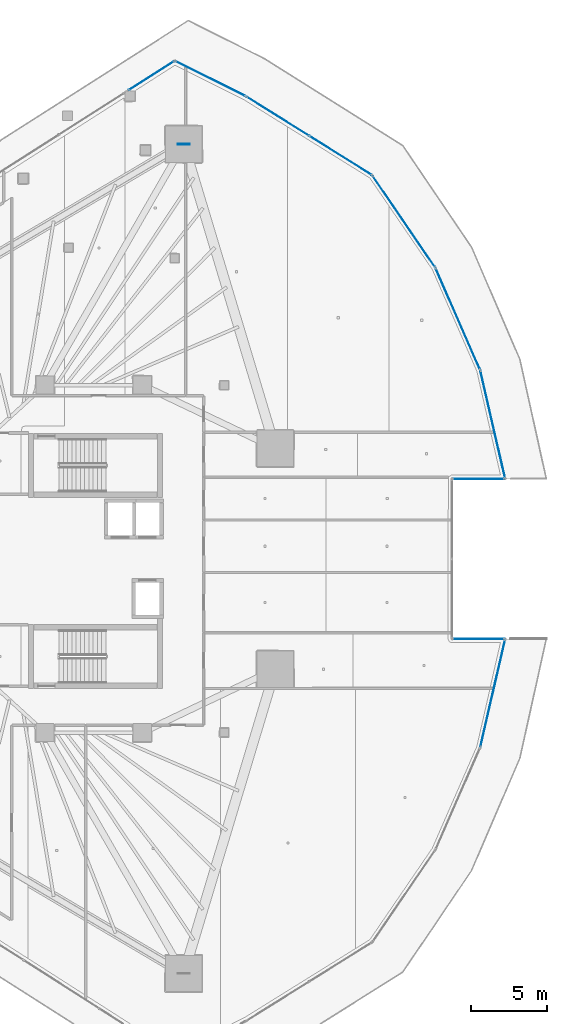
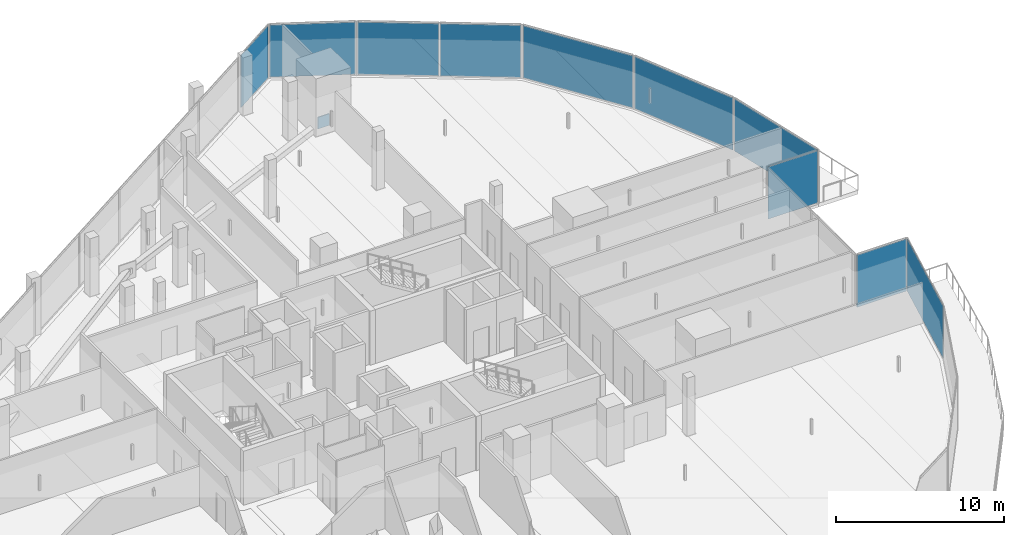
# One storey, part 36 of 52: 11 plates, 9 elements without a shape of their own.
"""IFC4 building model written with IfcOpenShell, lengths in metres."""

from ifc_helpers import new_model, si_unit, direction, frame, origin, origin_2d, place, context, subcontext, project, spatial, rectangle, extrude, material, layer, layer_set, type_object, element, aggregate, save


model = new_model("IFC4")

# Units and contexts
model_context = context("Model", 3, precision=1e-05, world=origin(), true_north=direction((0.0, 1.0)))
body_context = subcontext(model_context, "Body", "Model", "MODEL_VIEW")
ifc_project = project(units=[si_unit("LENGTHUNIT", "METRE"), si_unit("AREAUNIT", "SQUARE_METRE"), si_unit("VOLUMEUNIT", "CUBIC_METRE"), si_unit("PLANEANGLEUNIT", "RADIAN"), si_unit("MASSUNIT", "GRAM", prefix="KILO")], contexts=[model_context])

# Site, building, storey
site_placement = place(None, origin())
site = spatial("IfcSite", under=ifc_project, at=site_placement, CompositionType="ELEMENT")
building_placement = place(site_placement, origin())
building = spatial("IfcBuilding", under=site, at=building_placement, Name="Qorvath Tower", CompositionType="ELEMENT")
storey_placement = place(building_placement, frame((0.0, 0.0, 61.800048828125)))
storey = spatial("IfcBuildingStorey", under=building, at=storey_placement, Name="L13", CompositionType="ELEMENT", Elevation=61.800048828125)

# Curtain wall, plate
ifc_material_1 = material(Name="Anodised aluminium and triple low-E glass", Category="aluminium")
ifc_layer_1 = layer(ifc_material_1, 0.179931640625)
ifc_layer_set_1 = layer_set([ifc_layer_1], Name="CW-SYS-2")
curtain_wall_type = type_object("IfcCurtainWallType", Name="CW-SYS-2", PredefinedType="NOTDEFINED", material=ifc_layer_set_1)
curtain_wall_1_placement = place(storey_placement, origin())
curtain_wall_1 = element("IfcCurtainWall", 1, at=curtain_wall_1_placement, inside=storey, type_object=curtain_wall_type, Name="Curtain Wall CW-2 CW-T-L13-7.1", PredefinedType="NOTDEFINED")
ifc_material_2 = material(Name="Low-E triple insulated glass", Category="glass")
ifc_layer_2 = layer(ifc_material_2, 0.031982421875)
ifc_layer_set_2 = layer_set([ifc_layer_2], Name="CWP-GLZ-32")
plate_type_1 = type_object("IfcPlateType", Name="CWP-GLZ-32", PredefinedType="CURTAIN_PANEL", material=ifc_layer_set_2)
plate_1_placement = place(storey_placement, frame((5.905517578125, -8.8583984375, 0.06494140625), z_axis=(0.0, 0.0, 1.0), x_axis=(0.224704795149, 0.974426885424, 0.0)))
plate_1 = element("IfcPlate", 2, at=plate_1_placement, type_object=plate_type_1, Name="CW-2 panel 1.1", PredefinedType="CURTAIN_PANEL", context=body_context, shape_type="SweptSolid", body=[
    extrude(rectangle(XDim=7.234375, YDim=0.031982421875, at=origin_2d()), origin(), (0.0, 0.0, 1.0), 3.7900390625),
])
aggregate(curtain_wall_1, [plate_1])

curtain_wall_2_placement = place(storey_placement, origin())
curtain_wall_2 = element("IfcCurtainWall", 3, at=curtain_wall_2_placement, inside=storey, type_object=curtain_wall_type, Name="Curtain Wall CW-2 CW-T-L13-8.1", PredefinedType="NOTDEFINED")
plate_2_placement = place(storey_placement, frame((4.976318359375, -5.2705078125, 0.06494140625), z_axis=(0.0, 0.0, 1.0), x_axis=(-1.0, 0.0, 0.0)))
plate_2 = element("IfcPlate", 4, at=plate_2_placement, type_object=plate_type_1, Name="CW-2 panel 1.1", PredefinedType="CURTAIN_PANEL", context=body_context, shape_type="SweptSolid", body=[
    extrude(rectangle(XDim=3.38330078125, YDim=0.031982421875, at=origin_2d()), origin(), (0.0, 0.0, 1.0), 3.7900390625),
])
aggregate(curtain_wall_2, [plate_2])

curtain_wall_3_placement = place(storey_placement, origin())
curtain_wall_3 = element("IfcCurtainWall", 5, at=curtain_wall_3_placement, inside=storey, type_object=curtain_wall_type, Name="Curtain Wall CW-2 CW-T-L13-10.1", PredefinedType="NOTDEFINED")
plate_3_placement = place(storey_placement, frame((4.976318359375, 5.2705078125, 0.06494140625), z_axis=(0.0, 0.0, 1.0), x_axis=(1.0, 0.0, 0.0)))
plate_3 = element("IfcPlate", 6, at=plate_3_placement, type_object=plate_type_1, Name="CW-2 panel 1.1", PredefinedType="CURTAIN_PANEL", context=body_context, shape_type="SweptSolid", body=[
    extrude(rectangle(XDim=3.38330078125, YDim=0.031982421875, at=origin_2d()), origin(), (0.0, 0.0, 1.0), 3.7900390625),
])
aggregate(curtain_wall_3, [plate_3])

curtain_wall_4_placement = place(storey_placement, origin())
curtain_wall_4 = element("IfcCurtainWall", 7, at=curtain_wall_4_placement, inside=storey, type_object=curtain_wall_type, Name="Curtain Wall CW-2 CW-T-L13-11.1", PredefinedType="NOTDEFINED")
plate_4_placement = place(storey_placement, frame((5.905517578125, 8.8583984375, 0.06494140625), z_axis=(0.0, 0.0, 1.0), x_axis=(-0.224704795149, 0.974426885424, 0.0)))
plate_4 = element("IfcPlate", 8, at=plate_4_placement, type_object=plate_type_1, Name="CW-2 panel 1.1", PredefinedType="CURTAIN_PANEL", context=body_context, shape_type="SweptSolid", body=[
    extrude(rectangle(XDim=7.234375, YDim=0.031982421875, at=origin_2d()), origin(), (0.0, 0.0, 1.0), 3.7900390625),
])
aggregate(curtain_wall_4, [plate_4])

curtain_wall_5_placement = place(storey_placement, origin())
curtain_wall_5 = element("IfcCurtainWall", 9, at=curtain_wall_5_placement, inside=storey, type_object=curtain_wall_type, Name="Curtain Wall CW-2 CW-T-L13-12.1", PredefinedType="NOTDEFINED")
plate_5_placement = place(storey_placement, frame((3.6005859375, 15.8193359375, 0.06494140625), z_axis=(0.0, 0.0, 1.0), x_axis=(-0.40126327682, 0.915962762712, 0.0)))
plate_5 = element("IfcPlate", 10, at=plate_5_placement, type_object=plate_type_1, Name="CW-2 panel 1.1", PredefinedType="CURTAIN_PANEL", context=body_context, shape_type="SweptSolid", body=[
    extrude(rectangle(XDim=7.234375, YDim=0.031982421875, at=origin_2d()), origin(), (0.0, 0.0, 1.0), 3.7900390625),
])
aggregate(curtain_wall_5, [plate_5])

curtain_wall_6_placement = place(storey_placement, origin())
curtain_wall_6 = element("IfcCurtainWall", 11, at=curtain_wall_6_placement, inside=storey, type_object=curtain_wall_type, Name="Curtain Wall CW-2 CW-T-L13-13.1", PredefinedType="NOTDEFINED")
plate_6_placement = place(storey_placement, frame((0.04638671875, 22.23291015625, 0.06494140625), z_axis=(0.0, 0.0, 1.0), x_axis=(-0.563950127903, 0.825808847881, 0.0)))
plate_6 = element("IfcPlate", 12, at=plate_6_placement, type_object=plate_type_1, Name="CW-2 panel 1.1", PredefinedType="CURTAIN_PANEL", context=body_context, shape_type="SweptSolid", body=[
    extrude(rectangle(XDim=7.234619140625, YDim=0.031982421875, at=origin_2d()), origin(), (0.0, 0.0, 1.0), 3.7900390625),
])
aggregate(curtain_wall_6, [plate_6])

# Curtain wall, plates
curtain_wall_7_placement = place(storey_placement, origin())
curtain_wall_7 = element("IfcCurtainWall", 13, at=curtain_wall_7_placement, inside=storey, type_object=curtain_wall_type, Name="Curtain Wall CW-2 CW-T-L13-14.1", PredefinedType="NOTDEFINED")
plate_7_placement = place(storey_placement, frame((-4.128662109375, 26.584228515625, 0.06494140625), z_axis=(0.0, 0.0, 1.0), x_axis=(-0.848190261001, 0.529691684986, 0.0)))
plate_7 = element("IfcPlate", 14, at=plate_7_placement, type_object=plate_type_1, Name="CW-2 panel 1.1", PredefinedType="CURTAIN_PANEL", context=body_context, shape_type="SweptSolid", body=[
    extrude(rectangle(XDim=4.81787109375, YDim=0.031982421875, at=origin_2d()), origin(), (0.0, 0.0, 1.0), 3.7900390625),
])
plate_8_placement = place(storey_placement, frame((-8.270263671875, 29.170654296875, 0.06494140625), z_axis=(0.0, 0.0, 1.0), x_axis=(-0.848190261001, 0.529691684986, 0.0)))
plate_8 = element("IfcPlate", 15, at=plate_8_placement, type_object=plate_type_1, Name="CW-2 panel 2.1", PredefinedType="CURTAIN_PANEL", context=body_context, shape_type="SweptSolid", body=[
    extrude(rectangle(XDim=4.81787109375, YDim=0.031982421875, at=origin_2d()), origin(), (0.0, 0.0, 1.0), 3.7900390625),
])
aggregate(curtain_wall_7, [plate_7, plate_8])

# Curtain wall, plate
curtain_wall_8_placement = place(storey_placement, origin())
curtain_wall_8 = element("IfcCurtainWall", 16, at=curtain_wall_8_placement, inside=storey, type_object=curtain_wall_type, Name="Curtain Wall CW-2 CW-T-L13-15.1", PredefinedType="NOTDEFINED")
plate_9_placement = place(storey_placement, frame((-12.71337890625, 31.653564453125, 0.06494140625), z_axis=(0.0, 0.0, 1.0), x_axis=(-0.894427191001, 0.447213595499, 0.0)))
plate_9 = element("IfcPlate", 17, at=plate_9_placement, type_object=plate_type_1, Name="CW-2 panel 1.1", PredefinedType="CURTAIN_PANEL", context=body_context, shape_type="SweptSolid", body=[
    extrude(rectangle(XDim=5.11279296875, YDim=0.031982421875, at=origin_2d()), origin(), (0.0, 0.0, 1.0), 3.7900390625),
])
aggregate(curtain_wall_8, [plate_9])

curtain_wall_9_placement = place(storey_placement, origin())
curtain_wall_9 = element("IfcCurtainWall", 18, at=curtain_wall_9_placement, inside=storey, type_object=curtain_wall_type, Name="Curtain Wall CW-2 CW-T-L13-16.1", PredefinedType="NOTDEFINED")
plate_10_placement = place(storey_placement, frame((-16.588134765625, 31.847900390625, 0.06494140625), z_axis=(0.0, 0.0, 1.0), x_axis=(-0.842620257826, -0.53850821823, 0.0)))
plate_10 = element("IfcPlate", 19, at=plate_10_placement, type_object=plate_type_1, Name="CW-2 panel 1.1", PredefinedType="CURTAIN_PANEL", context=body_context, shape_type="SweptSolid", body=[
    extrude(rectangle(XDim=3.501953125, YDim=0.031982421875, at=origin_2d()), origin(), (0.0, 0.0, 1.0), 3.7900390625),
])
aggregate(curtain_wall_9, [plate_10])

# Plate
ifc_material_3 = material(Name="Steel ASTM A572 Grade 50", Category="steel")
ifc_layer_3 = layer(ifc_material_3, 0.054931640625)
ifc_layer_set_3 = layer_set([ifc_layer_3], Name="PL-MBN1")
plate_type_2 = type_object("IfcPlateType", Name="PL-MBN1", PredefinedType="USERDEFINED", material=ifc_layer_set_3)
plate_11_placement = place(storey_placement, frame((-14.46435546875, 27.330810546875, -0.425048828125), z_axis=(0.0, 0.0, 1.0), x_axis=(1.0, 0.0, 0.0)))
element("IfcPlate", 20, at=plate_11_placement, inside=storey, type_object=plate_type_2, Name="Brace Strut End Gusset Plate NDBG-081", ObjectType="GUSSET", PredefinedType="USERDEFINED", context=body_context, shape_type="SweptSolid", body=[
    extrude(rectangle(XDim=0.800048828125, YDim=0.054931640625, at=origin_2d()), origin(), (0.0, 0.0, 1.0), 0.85009765625),
])

save(model, "model.ifc")
